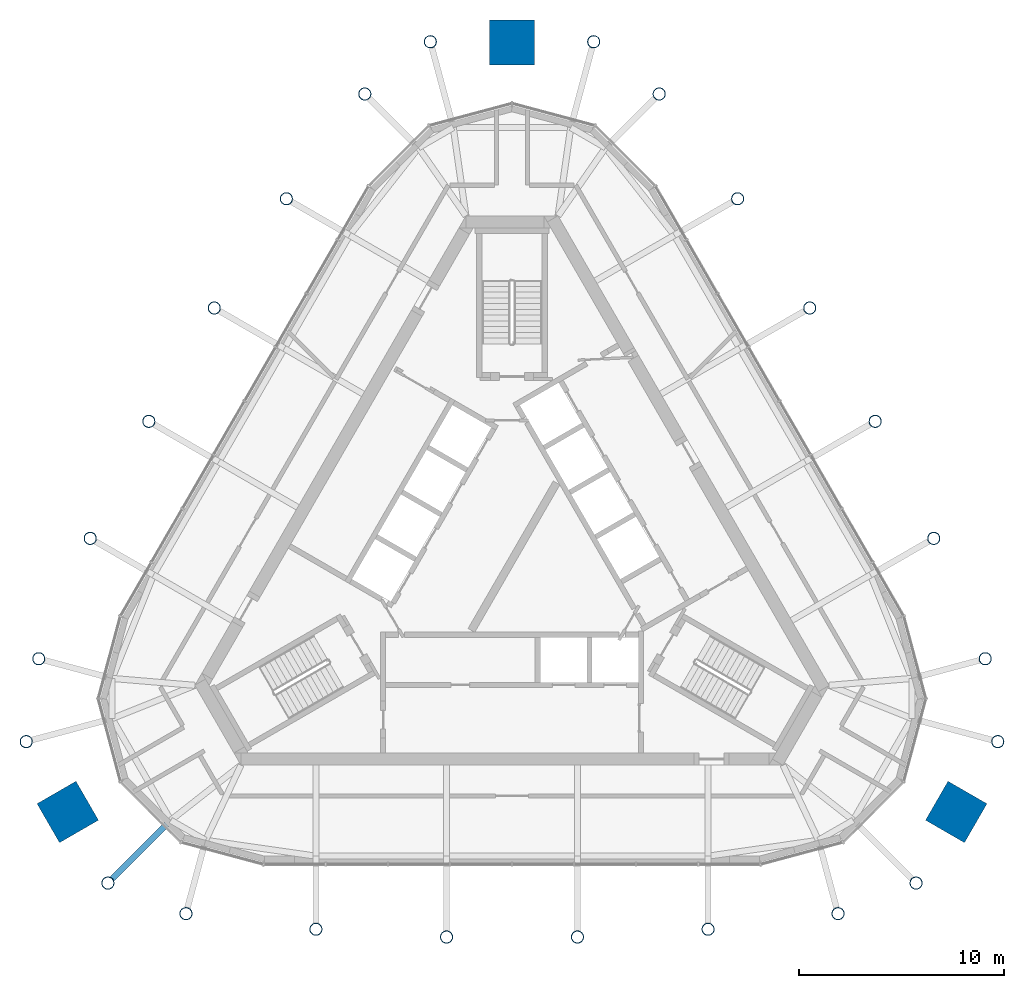
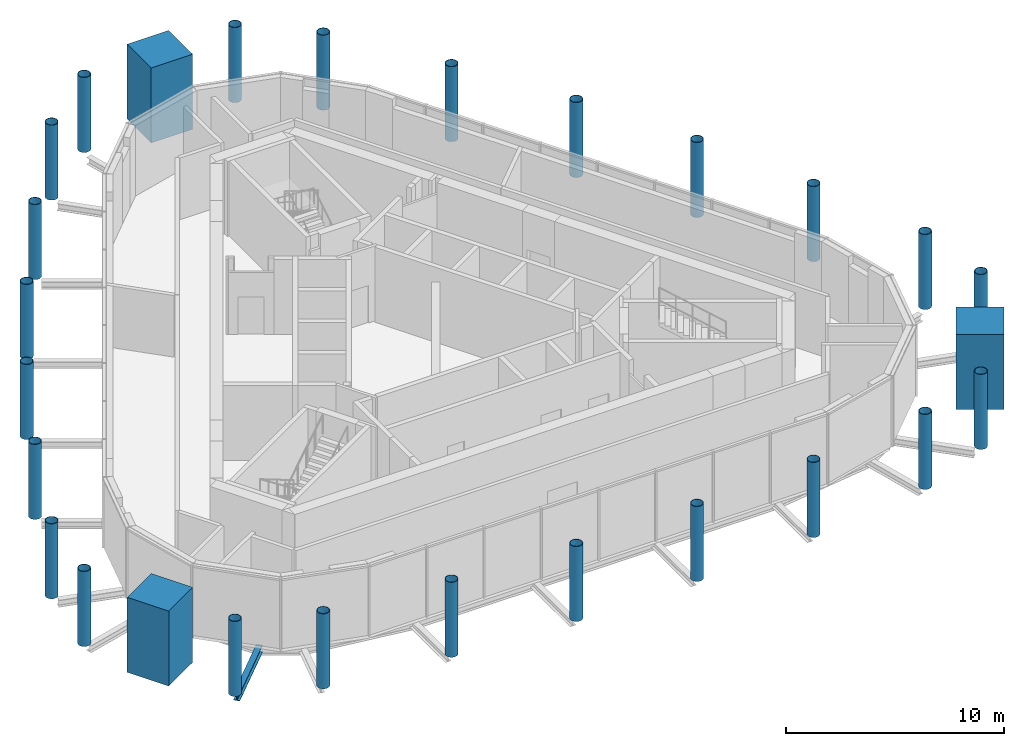
# One storey, part 1 of 11: 27 columns, 1 beam.
"""IFC4 building model written with IfcOpenShell, lengths in metres."""

from ifc_helpers import new_model, si_unit, direction, frame, origin, origin_2d, place, context, subcontext, project, spatial, rectangle, hollow_circle, i_section, extrude, material, material_profile, profile_set, type_object, element, save


model = new_model("IFC4")

# Units and contexts
model_context = context("Model", 3, precision=1e-05, world=origin(), true_north=direction((0.0, 1.0)))
body_context = subcontext(model_context, "Body", "Model", "MODEL_VIEW")
ifc_project = project(units=[si_unit("LENGTHUNIT", "METRE"), si_unit("AREAUNIT", "SQUARE_METRE"), si_unit("VOLUMEUNIT", "CUBIC_METRE"), si_unit("PLANEANGLEUNIT", "RADIAN"), si_unit("MASSUNIT", "GRAM", prefix="KILO")], contexts=[model_context])

# Site, building, storey
site_placement = place(None, origin())
site = spatial("IfcSite", under=ifc_project, at=site_placement, CompositionType="ELEMENT")
building_placement = place(site_placement, origin())
building = spatial("IfcBuilding", under=site, at=building_placement, Name="Mestral Congress Tower", CompositionType="ELEMENT")
storey_placement = place(building_placement, frame((0.0, 0.0, 340.199951171875)))
storey = spatial("IfcBuildingStorey", under=building, at=storey_placement, Name="L79", CompositionType="ELEMENT", Elevation=340.199951171875)

# Columns
ifc_material_1 = material(Name="Steel S355", Category="steel")
ifc_material_profile_1 = material_profile(ifc_material_1, hollow_circle(Radius=0.304931640625, WallThickness=0.02490234375, at=origin_2d()), Name="CHS 610x25")
ifc_profile_set_1 = profile_set([ifc_material_profile_1], Name="Steel S355")
column_type_1 = type_object("IfcColumnType", Name="Colonnade column CHS 610x25 S355", PredefinedType="COLUMN", material=ifc_profile_set_1)
for number, where, z_axis, x_axis, name in (
    (1, (-15.940673828125, -17.511962890625, 0.0), (0.0, 0.0, 1.0), (1.0, 0.0, 0.0), "COL-L79-K-C5-S00"),
    (2, (-9.587158203125, -18.273681640625, 0.0), (0.0, 0.0, 1.0), (1.0, 0.0, 0.0), "COL-L79-K-C5-S01"),
    (3, (-3.199462890625, -18.6552734375, 0.0), (0.0, 0.0, 1.0), (1.0, 0.0, 0.0), "COL-L79-K-C5-S02"),
    (4, (3.199462890625, -18.6552734375, 0.0), (0.0, 0.0, 1.0), (1.0, 0.0, 0.0), "COL-L79-K-C5-S03"),
    (5, (9.587158203125, -18.273681640625, 0.0), (0.0, 0.0, 1.0), (1.0, 0.0, 0.0), "COL-L79-K-C5-S04"),
    (6, (15.940673828125, -17.511962890625, 0.0), (0.0, 0.0, 1.0), (1.0, 0.0, 0.0), "COL-L79-K-C5-S05"),
    (7, (19.75439453125, -16.0166015625, 0.0), (0.0, 0.0, 1.0), (1.0, 0.0, 0.0), "COL-L79-K-C5-SE1"),
    (8, (23.748046875, -9.099609375, 0.0), (0.0, 0.0, 1.0), (1.0, 0.0, 0.0), "COL-L79-K-C5-SE3"),
    (9, (23.135986328125, -5.049072265625, 0.0), (0.0, 0.0, 1.0), (1.0, 0.0, 0.0), "COL-L79-K-C5-E00"),
    (10, (20.618896484375, 0.833984375, 0.0), (0.0, 0.0, 1.0), (1.0, 0.0, 0.0), "COL-L79-K-C5-E01"),
    (11, (17.755615234375, 6.556640625, 0.0), (0.0, 0.0, 1.0), (1.0, 0.0, 0.0), "COL-L79-K-C5-E02"),
    (12, (14.55615234375, 12.098388671875, 0.0), (0.0, 0.0, 1.0), (1.0, 0.0, 0.0), "COL-L79-K-C5-E03"),
    (13, (11.031982421875, 17.439697265625, 0.0), (0.0, 0.0, 1.0), (1.0, 0.0, 0.0), "COL-L79-K-C5-E04"),
    (14, (7.1953125, 22.56103515625, 0.0), (0.0, 0.0, 1.0), (1.0, 0.0, 0.0), "COL-L79-K-C5-E05"),
    (15, (3.993408203125, 25.1162109375, 0.0), (0.0, 0.0, 1.0), (1.0, 0.0, 0.0), "COL-L79-K-C5-N1"),
    (16, (-3.993408203125, 25.1162109375, 0.0), (0.0, 0.0, 1.0), (1.0, 0.0, 0.0), "COL-L79-K-C5-N3"),
    (17, (-7.1953125, 22.56103515625, 0.0), (0.0, 0.0, 1.0), (1.0, 0.0, 0.0), "COL-L79-K-C5-W00"),
    (18, (-11.031982421875, 17.439697265625, 0.0), (0.0, 0.0, 1.0), (1.0, 0.0, 0.0), "COL-L79-K-C5-W01"),
    (19, (-14.55615234375, 12.098388671875, 0.0), (0.0, 0.0, 1.0), (1.0, 0.0, 0.0), "COL-L79-K-C5-W02"),
    (20, (-17.755615234375, 6.556640625, 0.0), (0.0, 0.0, 1.0), (1.0, 0.0, 0.0), "COL-L79-K-C5-W03"),
    (21, (-20.618896484375, 0.833984375, 0.0), (0.0, 0.0, 1.0), (1.0, 0.0, 0.0), "COL-L79-K-C5-W04"),
    (22, (-23.135986328125, -5.049072265625, 0.0), (0.0, 0.0, 1.0), (1.0, 0.0, 0.0), "COL-L79-K-C5-W05"),
    (23, (-23.748046875, -9.099609375, 0.0), (0.0, 0.0, 1.0), (1.0, 0.0, 0.0), "COL-L79-K-C5-SW1"),
    (24, (-19.75439453125, -16.0166015625, 0.0), (0.0, 0.0, 1.0), (1.0, 0.0, 0.0), "COL-L79-K-C5-SW3"),
):
    element("IfcColumn", number, at=place(storey_placement, frame(where, z_axis=z_axis, x_axis=x_axis)), inside=storey, type_object=column_type_1, Name=name, PredefinedType="COLUMN", context=body_context, shape_type="SweptSolid", body=[
        extrude(hollow_circle(Radius=0.304931640625, WallThickness=0.02490234375, at=origin_2d()), origin(), (0.0, 0.0, 1.0), 4.199951171875),
    ])
ifc_material_2 = material(Name="Concrete C60/75", Category="concrete")
ifc_material_profile_2 = material_profile(ifc_material_2, rectangle(XDim=2.199951171875, YDim=2.199951171875, at=origin_2d()), Name="RC 2200x2200")
ifc_profile_set_2 = profile_set([ifc_material_profile_2], Name="Concrete C60/75")
column_type_2 = type_object("IfcColumnType", Name="Mega column RC 2200x2200 C60/75", PredefinedType="COLUMN", material=ifc_profile_set_2)
for number, where, z_axis, x_axis, name in (
    (25, (21.71826171875, -12.5390625, 0.0), (0.0, 0.0, 1.0), (0.866025403784, -0.5, 0.0), "COL-L79-PY5-SE"),
    (26, (0.0, 25.078125, 0.0), (0.0, 0.0, 1.0), (0.0, 1.0, 0.0), "COL-L79-PY5-N"),
    (27, (-21.71826171875, -12.5390625, 0.0), (0.0, 0.0, 1.0), (-0.866025403784, -0.5, 0.0), "COL-L79-PY5-SW"),
):
    element("IfcColumn", number, at=place(storey_placement, frame(where, z_axis=z_axis, x_axis=x_axis)), inside=storey, type_object=column_type_2, Name=name, PredefinedType="COLUMN", context=body_context, shape_type="SweptSolid", body=[
        extrude(rectangle(XDim=2.199951171875, YDim=2.199951171875, at=origin_2d()), origin(), (0.0, 0.0, 1.0), 4.199951171875),
    ])

# Beam
ifc_material_profile_3 = material_profile(ifc_material_1, i_section(OverallWidth=0.300048828125, OverallDepth=0.39990234375, WebThickness=0.013427734375, FlangeThickness=0.02392578125, FilletRadius=0.027099609375, at=origin_2d()), Name="HEB 400")
ifc_profile_set_3 = profile_set([ifc_material_profile_3], Name="Steel S355")
beam_type = type_object("IfcBeamType", Name="Floor beam HEB 400 S355", PredefinedType="BEAM", material=ifc_profile_set_3)
beam_placement = place(storey_placement, frame((-19.538818359375, -15.80078125, -0.449951171875), z_axis=(0.707137007821, 0.70707655326, 0.0), x_axis=(-0.70707655326, 0.707137007821, 0.0)))
element("IfcBeam", 28, at=beam_placement, inside=storey, type_object=beam_type, Name="BM-L79-KT-C5-SW3", PredefinedType="BEAM", context=body_context, shape_type="SweptSolid", body=[
    extrude(i_section(OverallWidth=0.300048828125, OverallDepth=0.39990234375, WebThickness=0.013427734375, FlangeThickness=0.02392578125, FilletRadius=0.027099609375, at=origin_2d()), origin(), (0.0, 0.0, 1.0), 4.038330078125),
])

save(model, "model.ifc")
